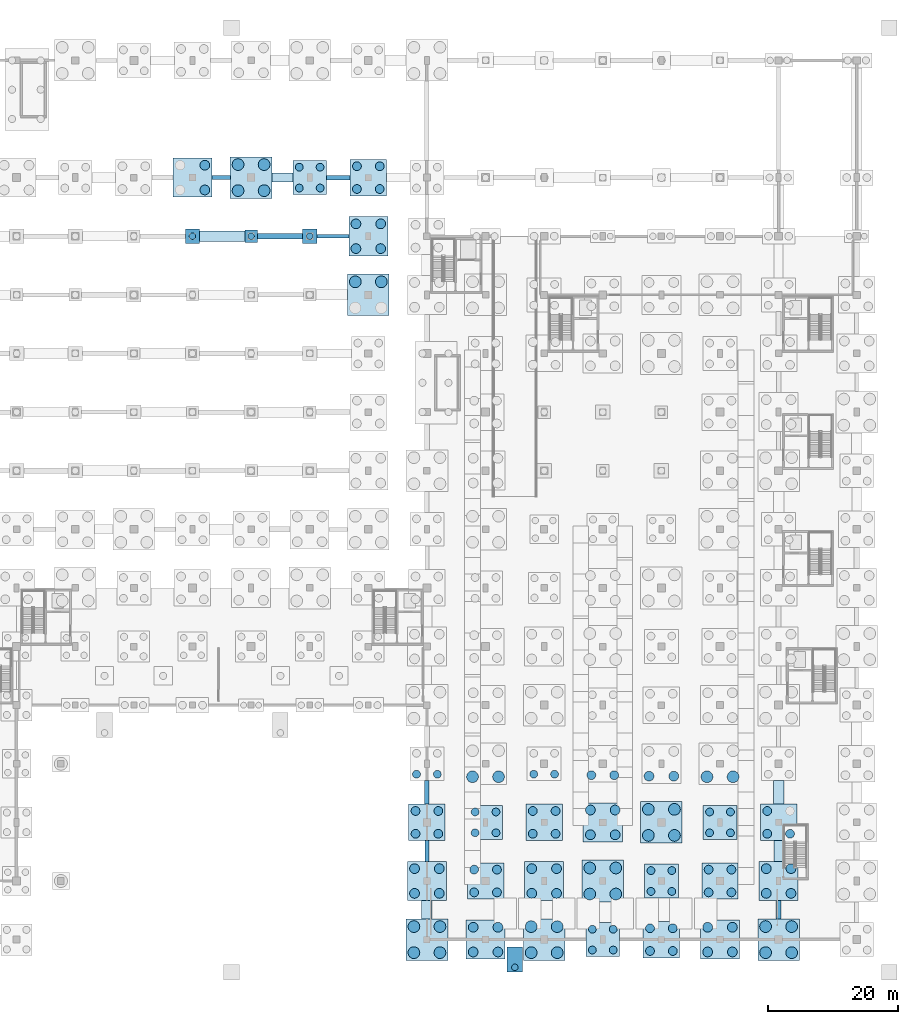
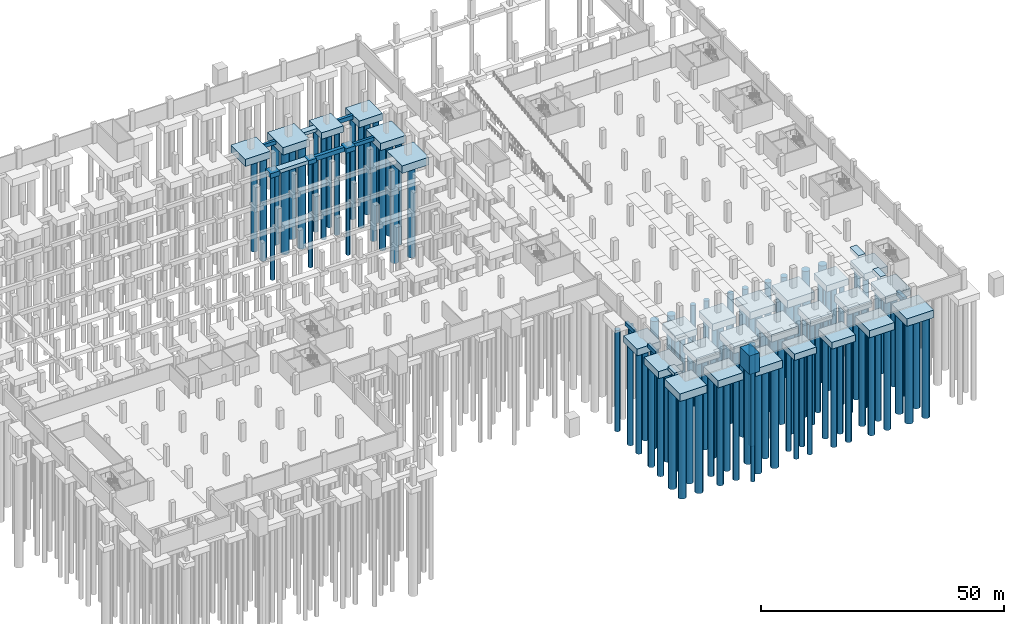
# One storey, part 7 of 37: 119 piles, 43 footings.
"""IFC4 building model written with IfcOpenShell, lengths in metres."""

from ifc_helpers import new_model, si_unit, direction, frame, origin, origin_2d, place, context, subcontext, project, spatial, rectangle, circle, extrude, material, material_profile, profile_set, type_object, element, save


model = new_model("IFC4")

# Units and contexts
model_context = context("Model", 3, precision=1e-05, world=origin(), true_north=direction((0.0, 1.0)))
body_context = subcontext(model_context, "Body", "Model", "MODEL_VIEW")
ifc_project = project(units=[si_unit("LENGTHUNIT", "METRE"), si_unit("AREAUNIT", "SQUARE_METRE"), si_unit("VOLUMEUNIT", "CUBIC_METRE"), si_unit("PLANEANGLEUNIT", "RADIAN"), si_unit("MASSUNIT", "GRAM", prefix="KILO")], contexts=[model_context])

# Site, building, storey
site_placement = place(None, origin())
site = spatial("IfcSite", under=ifc_project, at=site_placement, CompositionType="ELEMENT")
building_placement = place(site_placement, origin())
building = spatial("IfcBuilding", under=site, at=building_placement, Name="Barlavento Convention Centre", CompositionType="ELEMENT")
storey_placement = place(building_placement, frame((0.0, 0.0, -5.0)))
storey = spatial("IfcBuildingStorey", under=building, at=storey_placement, Name="B1", CompositionType="ELEMENT", Elevation=-5.0)

# Footings
ifc_material = material(Name="Concrete C40/50", Category="concrete")
footing_type_1 = type_object("IfcFootingType", Name="STR-FND-GB-600X900", PredefinedType="FOOTING_BEAM", material=ifc_material)
footing_1_placement = place(storey_placement, frame((94.39990234375, 117.0, -0.89990234375), z_axis=(0.0, 0.0, 1.0), x_axis=(1.0, 0.0, 0.0)))
element("IfcFooting", 1, at=footing_1_placement, inside=storey, type_object=footing_type_1, Name="Ground tie footing GB01", PredefinedType="FOOTING_BEAM", context=body_context, shape_type="SweptSolid", body=[
    extrude(rectangle(XDim=2.81005859375, YDim=0.60009765625, at=origin_2d()), origin(), (0.0, 0.0, 1.0), 0.89990234375),
])
footing_2_placement = place(storey_placement, frame((111.550048828125, 108.0, -0.89990234375), z_axis=(0.0, 0.0, 1.0), x_axis=(1.0, 0.0, 0.0)))
element("IfcFooting", 2, at=footing_2_placement, inside=storey, type_object=footing_type_1, Name="Ground tie footing GB01", PredefinedType="FOOTING_BEAM", context=body_context, shape_type="SweptSolid", body=[
    extrude(rectangle(XDim=4.909912109375, YDim=0.60009765625, at=origin_2d()), origin(), (0.0, 0.0, 1.0), 0.89990234375),
])
footing_3_placement = place(storey_placement, frame((126.0, 13.60009765625, -0.89990234375), z_axis=(0.0, 0.0, 1.0), x_axis=(1.0, 0.0, 0.0)))
element("IfcFooting", 3, at=footing_3_placement, inside=storey, type_object=footing_type_1, Name="Ground tie footing GB01", PredefinedType="FOOTING_BEAM", context=body_context, shape_type="SweptSolid", body=[
    extrude(rectangle(XDim=0.60009765625, YDim=3.2099609375, at=origin_2d()), origin(), (0.0, 0.0, 1.0), 0.89990234375),
])
footing_type_2 = type_object("IfcFootingType", Name="STR-FND-GB-700X1000", PredefinedType="FOOTING_BEAM", material=ifc_material)
footing_4_placement = place(storey_placement, frame((112.39990234375, 117.0, -1.0), z_axis=(0.0, 0.0, 1.0), x_axis=(1.0, 0.0, 0.0)))
element("IfcFooting", 4, at=footing_4_placement, inside=storey, type_object=footing_type_2, Name="Ground tie footing GB02", PredefinedType="FOOTING_BEAM", context=body_context, shape_type="SweptSolid", body=[
    extrude(rectangle(XDim=3.610107421875, YDim=0.699951171875, at=origin_2d()), origin(), (0.0, 0.0, 1.0), 1.0),
])
footing_5_placement = place(storey_placement, frame((126.0, 22.60009765625, -1.0), z_axis=(0.0, 0.0, 1.0), x_axis=(1.0, 0.0, 0.0)))
element("IfcFooting", 5, at=footing_5_placement, inside=storey, type_object=footing_type_2, Name="Ground tie footing GB02", PredefinedType="FOOTING_BEAM", context=body_context, shape_type="SweptSolid", body=[
    extrude(rectangle(XDim=0.699951171875, YDim=3.610107421875, at=origin_2d()), origin(), (0.0, 0.0, 1.0), 1.0),
])
footing_type_3 = type_object("IfcFootingType", Name="STR-FND-GB-800X1100", PredefinedType="FOOTING_BEAM", material=ifc_material)
footing_6_placement = place(storey_placement, frame((103.425048828125, 108.0, -1.10009765625), z_axis=(0.0, 0.0, 1.0), x_axis=(1.0, 0.0, 0.0)))
element("IfcFooting", 6, at=footing_6_placement, inside=storey, type_object=footing_type_3, Name="Ground tie footing GB03", PredefinedType="FOOTING_BEAM", context=body_context, shape_type="SweptSolid", body=[
    extrude(rectangle(XDim=6.9599609375, YDim=0.800048828125, at=origin_2d()), origin(), (0.0, 0.0, 1.0), 1.10009765625),
])
footing_7_placement = place(storey_placement, frame((180.0, 4.60009765625, -1.10009765625), z_axis=(0.0, 0.0, 1.0), x_axis=(1.0, 0.0, 0.0)))
element("IfcFooting", 7, at=footing_7_placement, inside=storey, type_object=footing_type_3, Name="Ground tie footing GB03", PredefinedType="FOOTING_BEAM", context=body_context, shape_type="SweptSolid", body=[
    extrude(rectangle(XDim=0.800048828125, YDim=2.81005859375, at=origin_2d()), origin(), (0.0, 0.0, 1.0), 1.10009765625),
])
footing_type_4 = type_object("IfcFootingType", Name="STR-FND-PC1-1900", PredefinedType="PILE_CAP", material=ifc_material)
footing_8_placement = place(storey_placement, frame((99.0, 108.0, -1.0498046875), z_axis=(0.0, 0.0, 1.0), x_axis=(1.0, 0.0, 0.0)))
element("IfcFooting", 8, at=footing_8_placement, inside=storey, type_object=footing_type_4, Name="Pile cap PC01 at 12-N", PredefinedType="PILE_CAP", context=body_context, shape_type="SweptSolid", body=[
    extrude(rectangle(XDim=1.89990234375, YDim=1.89990234375, at=origin_2d()), origin(), (0.0, 0.0, 1.0), 1.050048828125),
])
footing_type_5 = type_object("IfcFootingType", Name="STR-FND-PC1-2200", PredefinedType="PILE_CAP", material=ifc_material)
for number, where, z_axis, x_axis, name in (
    (9, (90.0, 108.0, -1.14990234375), (0.0, 0.0, 1.0), (1.0, 0.0, 0.0), "Pile cap PC02 at 11-N"),
    (10, (108.0, 108.0, -1.14990234375), (0.0, 0.0, 1.0), (1.0, 0.0, 0.0), "Pile cap PC02 at 13-N"),
):
    element("IfcFooting", number, at=place(storey_placement, frame(where, z_axis=z_axis, x_axis=x_axis)), inside=storey, type_object=footing_type_5, Name=name, PredefinedType="PILE_CAP", context=body_context, shape_type="SweptSolid", body=[
        extrude(rectangle(XDim=2.199951171875, YDim=2.199951171875, at=origin_2d()), origin(), (0.0, 0.0, 1.0), 1.14990234375),
    ])
footing_type_6 = type_object("IfcFootingType", Name="STR-FND-PC4-5200", PredefinedType="PILE_CAP", material=ifc_material)
for number, where, z_axis, x_axis, name in (
    (11, (108.0, 117.0, -1.60009765625), (0.0, 0.0, 1.0), (1.0, 0.0, 0.0), "Pile cap PC09 at 13-P"),
    (12, (135.0, 18.0, -2.1201171875), (0.0, 0.0, 1.0), (1.0, 0.0, 0.0), "Pile cap PC09 at 16-C"),
    (13, (153.0, 0.0, -2.1201171875), (0.0, 0.0, 1.0), (1.0, 0.0, 0.0), "Pile cap PC09 at 18-A"),
    (14, (162.0, 9.0, -2.1201171875), (0.0, 0.0, 1.0), (1.0, 0.0, 0.0), "Pile cap PC09 at 19-B"),
    (15, (171.0, 18.0, -2.1201171875), (0.0, 0.0, 1.0), (1.0, 0.0, 0.0), "Pile cap PC09 at 20-C"),
):
    element("IfcFooting", number, at=place(storey_placement, frame(where, z_axis=z_axis, x_axis=x_axis)), inside=storey, type_object=footing_type_6, Name=name, PredefinedType="PILE_CAP", context=body_context, shape_type="SweptSolid", body=[
        extrude(rectangle(XDim=5.199951171875, YDim=5.199951171875, at=origin_2d()), origin(), (0.0, 0.0, 1.0), 1.60009765625),
    ])
footing_type_7 = type_object("IfcFootingType", Name="STR-FND-PC4-5600", PredefinedType="PILE_CAP", material=ifc_material)
for number, where, z_axis, x_axis, name in (
    (16, (117.0, 117.0, -1.7001953125), (0.0, 0.0, 1.0), (1.0, 0.0, 0.0), "Pile cap PC10 at 14-P"),
    (17, (126.0, 18.0, -2.22021484375), (0.0, 0.0, 1.0), (1.0, 0.0, 0.0), "Pile cap PC10 at 15-C"),
    (18, (135.0, 9.0, -2.22021484375), (0.0, 0.0, 1.0), (1.0, 0.0, 0.0), "Pile cap PC10 at 16-B"),
    (19, (144.0, 18.0, -2.22021484375), (0.0, 0.0, 1.0), (1.0, 0.0, 0.0), "Pile cap PC10 at 17-C"),
    (20, (162.0, 0.0, -2.22021484375), (0.0, 0.0, 1.0), (1.0, 0.0, 0.0), "Pile cap PC10 at 19-A"),
    (21, (171.0, 9.0, -2.22021484375), (0.0, 0.0, 1.0), (1.0, 0.0, 0.0), "Pile cap PC10 at 20-B"),
    (22, (180.0, 18.0, -2.22021484375), (0.0, 0.0, 1.0), (1.0, 0.0, 0.0), "Pile cap PC10 at 21-C"),
):
    element("IfcFooting", number, at=place(storey_placement, frame(where, z_axis=z_axis, x_axis=x_axis)), inside=storey, type_object=footing_type_7, Name=name, PredefinedType="PILE_CAP", context=body_context, shape_type="SweptSolid", body=[
        extrude(rectangle(XDim=5.60009765625, YDim=5.60009765625, at=origin_2d()), origin(), (0.0, 0.0, 1.0), 1.699951171875),
    ])
footing_type_8 = type_object("IfcFootingType", Name="STR-FND-PC4-6000", PredefinedType="PILE_CAP", material=ifc_material)
for number, where, z_axis, x_axis, name in (
    (23, (90.0, 117.0, -1.7998046875), (0.0, 0.0, 1.0), (1.0, 0.0, 0.0), "Pile cap PC11 at 11-P"),
    (24, (117.0, 108.0, -1.7998046875), (0.0, 0.0, 1.0), (1.0, 0.0, 0.0), "Pile cap PC11 at 14-N"),
    (25, (126.0, 9.0, -2.31982421875), (0.0, 0.0, 1.0), (1.0, 0.0, 0.0), "Pile cap PC11 at 15-B"),
    (26, (135.0, 0.0, -2.31982421875), (0.0, 0.0, 1.0), (1.0, 0.0, 0.0), "Pile cap PC11 at 16-A"),
    (27, (144.0, 9.0, -2.31982421875), (0.0, 0.0, 1.0), (1.0, 0.0, 0.0), "Pile cap PC11 at 17-B"),
    (28, (153.0, 18.0, -2.31982421875), (0.0, 0.0, 1.0), (1.0, 0.0, 0.0), "Pile cap PC11 at 18-C"),
    (29, (171.0, 0.0, -2.31982421875), (0.0, 0.0, 1.0), (1.0, 0.0, 0.0), "Pile cap PC11 at 20-A"),
    (30, (180.0, 9.0, -2.31982421875), (0.0, 0.0, 1.0), (1.0, 0.0, 0.0), "Pile cap PC11 at 21-B"),
):
    element("IfcFooting", number, at=place(storey_placement, frame(where, z_axis=z_axis, x_axis=x_axis)), inside=storey, type_object=footing_type_8, Name=name, PredefinedType="PILE_CAP", context=body_context, shape_type="SweptSolid", body=[
        extrude(rectangle(XDim=6.0, YDim=6.0, at=origin_2d()), origin(), (0.0, 0.0, 1.0), 1.800048828125),
    ])
footing_type_9 = type_object("IfcFootingType", Name="STR-FND-PC4-6400", PredefinedType="PILE_CAP", material=ifc_material)
for number, where, z_axis, x_axis, name in (
    (31, (99.0, 117.0, -1.89990234375), (0.0, 0.0, 1.0), (1.0, 0.0, 0.0), "Pile cap PC12 at 12-P"),
    (32, (117.0, 99.0, -1.89990234375), (0.0, 0.0, 1.0), (1.0, 0.0, 0.0), "Pile cap PC12 at 14-M"),
    (33, (126.0, 0.0, -2.419921875), (0.0, 0.0, 1.0), (1.0, 0.0, 0.0), "Pile cap PC12 at 15-A"),
    (34, (144.0, 0.0, -2.419921875), (0.0, 0.0, 1.0), (1.0, 0.0, 0.0), "Pile cap PC12 at 17-A"),
    (35, (153.0, 9.0, -2.419921875), (0.0, 0.0, 1.0), (1.0, 0.0, 0.0), "Pile cap PC12 at 18-B"),
    (36, (162.0, 18.0, -2.419921875), (0.0, 0.0, 1.0), (1.0, 0.0, 0.0), "Pile cap PC12 at 19-C"),
    (37, (180.0, 0.0, -2.419921875), (0.0, 0.0, 1.0), (1.0, 0.0, 0.0), "Pile cap PC12 at 21-A"),
):
    element("IfcFooting", number, at=place(storey_placement, frame(where, z_axis=z_axis, x_axis=x_axis)), inside=storey, type_object=footing_type_9, Name=name, PredefinedType="PILE_CAP", context=body_context, shape_type="SweptSolid", body=[
        extrude(rectangle(XDim=6.39990234375, YDim=6.39990234375, at=origin_2d()), origin(), (0.0, 0.0, 1.0), 1.89990234375),
    ])
footing_type_10 = type_object("IfcFootingType", Name="STR-FND-RMP-PAD", PredefinedType="PAD_FOOTING", material=ifc_material)
footing_9_placement = place(storey_placement, frame((139.5, -3.050048828125, 0.0), z_axis=(0.0, 0.0, 1.0), x_axis=(1.0, 0.0, 0.0)))
element("IfcFooting", 38, at=footing_9_placement, inside=storey, type_object=footing_type_10, Name="Approach ramp foundation pad AR-05", PredefinedType="PAD_FOOTING", context=body_context, shape_type="SweptSolid", body=[
    extrude(rectangle(XDim=2.39990234375, YDim=3.800048828125, at=origin_2d()), origin(), (0.0, 0.0, 1.0), 4.679931640625),
])
footing_type_11 = type_object("IfcFootingType", Name="STR-FND-SF-1400X800", PredefinedType="STRIP_FOOTING", material=ifc_material)
footing_10_placement = place(storey_placement, frame((103.800048828125, 117.0, -0.7998046875), z_axis=(0.0, 0.0, 1.0), x_axis=(1.0, 0.0, 0.0)))
element("IfcFooting", 39, at=footing_10_placement, inside=storey, type_object=footing_type_11, Name="Ground tie footing SF01", PredefinedType="STRIP_FOOTING", context=body_context, shape_type="SweptSolid", body=[
    extrude(rectangle(XDim=3.2099609375, YDim=1.39990234375, at=origin_2d()), origin(), (0.0, 0.0, 1.0), 0.800048828125),
])
footing_11_placement = place(storey_placement, frame((180.0, 13.60009765625, -0.7998046875), z_axis=(0.0, 0.0, 1.0), x_axis=(1.0, 0.0, 0.0)))
element("IfcFooting", 40, at=footing_11_placement, inside=storey, type_object=footing_type_11, Name="Ground tie footing SF01", PredefinedType="STRIP_FOOTING", context=body_context, shape_type="SweptSolid", body=[
    extrude(rectangle(XDim=1.39990234375, YDim=3.2099609375, at=origin_2d()), origin(), (0.0, 0.0, 1.0), 0.800048828125),
])
footing_type_12 = type_object("IfcFootingType", Name="STR-FND-SF-1600X900", PredefinedType="STRIP_FOOTING", material=ifc_material)
footing_12_placement = place(storey_placement, frame((94.574951171875, 108.0, -0.89990234375), z_axis=(0.0, 0.0, 1.0), x_axis=(1.0, 0.0, 0.0)))
element("IfcFooting", 41, at=footing_12_placement, inside=storey, type_object=footing_type_12, Name="Ground tie footing SF02", PredefinedType="STRIP_FOOTING", context=body_context, shape_type="SweptSolid", body=[
    extrude(rectangle(XDim=6.9599609375, YDim=1.60009765625, at=origin_2d()), origin(), (0.0, 0.0, 1.0), 0.89990234375),
])
footing_13_placement = place(storey_placement, frame((126.0, 4.60009765625, -0.89990234375), z_axis=(0.0, 0.0, 1.0), x_axis=(1.0, 0.0, 0.0)))
element("IfcFooting", 42, at=footing_13_placement, inside=storey, type_object=footing_type_12, Name="Ground tie footing SF02", PredefinedType="STRIP_FOOTING", context=body_context, shape_type="SweptSolid", body=[
    extrude(rectangle(XDim=1.60009765625, YDim=2.81005859375, at=origin_2d()), origin(), (0.0, 0.0, 1.0), 0.89990234375),
])
footing_14_placement = place(storey_placement, frame((180.0, 22.60009765625, -0.89990234375), z_axis=(0.0, 0.0, 1.0), x_axis=(1.0, 0.0, 0.0)))
element("IfcFooting", 43, at=footing_14_placement, inside=storey, type_object=footing_type_12, Name="Ground tie footing SF02", PredefinedType="STRIP_FOOTING", context=body_context, shape_type="SweptSolid", body=[
    extrude(rectangle(XDim=1.60009765625, YDim=3.610107421875, at=origin_2d()), origin(), (0.0, 0.0, 1.0), 0.89990234375),
])

# Piles
ifc_material_profile_1 = material_profile(ifc_material, circle(Radius=0.5, at=origin_2d()), Name="BORED PILE 1000")
ifc_profile_set_1 = profile_set([ifc_material_profile_1], Name="Concrete C40/50")
pile_type_1 = type_object("IfcPileType", Name="STR-PIL-B1000", PredefinedType="BORED", material=ifc_profile_set_1)
pile_1_placement = place(storey_placement, frame((90.0, 108.0, -1.050048828125), z_axis=(0.0, 0.0, -1.0), x_axis=(1.0, 0.0, 0.0)))
element("IfcPile", 44, at=pile_1_placement, inside=storey, type_object=pile_type_1, Name="Bored pile P10 under FND-CAP-0148", PredefinedType="BORED", context=body_context, shape_type="SweptSolid", body=[
    extrude(circle(Radius=0.5, at=origin_2d()), origin(), (0.0, 0.0, 1.0), 26.449951171875),
])
pile_2_placement = place(storey_placement, frame((99.0, 108.0, -0.949951171875), z_axis=(0.0, 0.0, -1.0), x_axis=(1.0, 0.0, 0.0)))
element("IfcPile", 45, at=pile_2_placement, inside=storey, type_object=pile_type_1, Name="Bored pile P10 under FND-CAP-0159", PredefinedType="BORED", context=body_context, shape_type="SweptSolid", body=[
    extrude(circle(Radius=0.5, at=origin_2d()), origin(), (0.0, 0.0, 1.0), 26.550048828125),
])
pile_3_placement = place(storey_placement, frame((108.0, 108.0, -1.050048828125), z_axis=(0.0, 0.0, -1.0), x_axis=(1.0, 0.0, 0.0)))
element("IfcPile", 46, at=pile_3_placement, inside=storey, type_object=pile_type_1, Name="Bored pile P10 under FND-CAP-0170", PredefinedType="BORED", context=body_context, shape_type="SweptSolid", body=[
    extrude(circle(Radius=0.5, at=origin_2d()), origin(), (0.0, 0.0, 1.0), 26.449951171875),
])
pile_4_placement = place(storey_placement, frame((139.5, -4.25, 0.10009765625), z_axis=(0.0, 0.0, -1.0), x_axis=(1.0, 0.0, 0.0)))
element("IfcPile", 47, at=pile_4_placement, inside=storey, type_object=pile_type_1, Name="Approach ramp foundation pile AR-05", PredefinedType="BORED", context=body_context, shape_type="SweptSolid", body=[
    extrude(circle(Radius=0.5, at=origin_2d()), origin(), (0.0, 0.0, 1.0), 27.60009765625),
])
ifc_material_profile_2 = material_profile(ifc_material, circle(Radius=0.60009765625, at=origin_2d()), Name="BORED PILE 1200")
ifc_profile_set_2 = profile_set([ifc_material_profile_2], Name="Concrete C40/50")
pile_type_2 = type_object("IfcPileType", Name="STR-PIL-B1200", PredefinedType="BORED", material=ifc_profile_set_2)
for number, where, z_axis, x_axis, name in (
    (48, (106.39990234375, 115.39990234375, -1.5), (0.0, 0.0, -1.0), (1.0, 0.0, 0.0), "Bored pile P12 under FND-CAP-0171"),
    (49, (109.60009765625, 115.39990234375, -1.5), (0.0, 0.0, -1.0), (1.0, 0.0, 0.0), "Bored pile P12 under FND-CAP-0171"),
    (50, (106.39990234375, 118.60009765625, -1.5), (0.0, 0.0, -1.0), (1.0, 0.0, 0.0), "Bored pile P12 under FND-CAP-0171"),
    (51, (109.60009765625, 118.60009765625, -1.5), (0.0, 0.0, -1.0), (1.0, 0.0, 0.0), "Bored pile P12 under FND-CAP-0171"),
):
    element("IfcPile", number, at=place(storey_placement, frame(where, z_axis=z_axis, x_axis=x_axis)), inside=storey, type_object=pile_type_2, Name=name, PredefinedType="BORED", context=body_context, shape_type="SweptSolid", body=[
        extrude(circle(Radius=0.60009765625, at=origin_2d()), origin(), (0.0, 0.0, 1.0), 26.0),
    ])
for number, where, z_axis, x_axis, name in (
    (52, (124.39990234375, 25.39990234375, -2.02001953125), (0.0, 0.0, -1.0), (1.0, 0.0, 0.0), "Bored pile P12 under FND-CAP-0187"),
    (53, (127.60009765625, 25.39990234375, -2.02001953125), (0.0, 0.0, -1.0), (1.0, 0.0, 0.0), "Bored pile P12 under FND-CAP-0187"),
    (54, (133.39990234375, 16.39990234375, -2.02001953125), (0.0, 0.0, -1.0), (1.0, 0.0, 0.0), "Bored pile P12 under FND-CAP-0199"),
    (55, (136.60009765625, 16.39990234375, -2.02001953125), (0.0, 0.0, -1.0), (1.0, 0.0, 0.0), "Bored pile P12 under FND-CAP-0199"),
    (56, (133.39990234375, 19.60009765625, -2.02001953125), (0.0, 0.0, -1.0), (1.0, 0.0, 0.0), "Bored pile P12 under FND-CAP-0199"),
    (57, (136.60009765625, 19.60009765625, -2.02001953125), (0.0, 0.0, -1.0), (1.0, 0.0, 0.0), "Bored pile P12 under FND-CAP-0199"),
    (58, (142.39990234375, 25.39990234375, -2.02001953125), (0.0, 0.0, -1.0), (1.0, 0.0, 0.0), "Bored pile P12 under FND-CAP-0215"),
    (59, (145.60009765625, 25.39990234375, -2.02001953125), (0.0, 0.0, -1.0), (1.0, 0.0, 0.0), "Bored pile P12 under FND-CAP-0215"),
    (60, (151.39990234375, -1.60009765625, -2.02001953125), (0.0, 0.0, -1.0), (1.0, 0.0, 0.0), "Bored pile P12 under FND-CAP-0227"),
    (61, (154.60009765625, -1.60009765625, -2.02001953125), (0.0, 0.0, -1.0), (1.0, 0.0, 0.0), "Bored pile P12 under FND-CAP-0227"),
    (62, (151.39990234375, 1.60009765625, -2.02001953125), (0.0, 0.0, -1.0), (1.0, 0.0, 0.0), "Bored pile P12 under FND-CAP-0227"),
    (63, (154.60009765625, 1.60009765625, -2.02001953125), (0.0, 0.0, -1.0), (1.0, 0.0, 0.0), "Bored pile P12 under FND-CAP-0227"),
    (64, (160.39990234375, 7.39990234375, -2.02001953125), (0.0, 0.0, -1.0), (1.0, 0.0, 0.0), "Bored pile P12 under FND-CAP-0243"),
    (65, (163.60009765625, 7.39990234375, -2.02001953125), (0.0, 0.0, -1.0), (1.0, 0.0, 0.0), "Bored pile P12 under FND-CAP-0243"),
    (66, (160.39990234375, 10.60009765625, -2.02001953125), (0.0, 0.0, -1.0), (1.0, 0.0, 0.0), "Bored pile P12 under FND-CAP-0243"),
    (67, (163.60009765625, 10.60009765625, -2.02001953125), (0.0, 0.0, -1.0), (1.0, 0.0, 0.0), "Bored pile P12 under FND-CAP-0243"),
    (68, (169.39990234375, 16.39990234375, -2.02001953125), (0.0, 0.0, -1.0), (1.0, 0.0, 0.0), "Bored pile P12 under FND-CAP-0259"),
    (69, (172.60009765625, 16.39990234375, -2.02001953125), (0.0, 0.0, -1.0), (1.0, 0.0, 0.0), "Bored pile P12 under FND-CAP-0259"),
    (70, (169.39990234375, 19.60009765625, -2.02001953125), (0.0, 0.0, -1.0), (1.0, 0.0, 0.0), "Bored pile P12 under FND-CAP-0259"),
    (71, (172.60009765625, 19.60009765625, -2.02001953125), (0.0, 0.0, -1.0), (1.0, 0.0, 0.0), "Bored pile P12 under FND-CAP-0259"),
):
    element("IfcPile", number, at=place(storey_placement, frame(where, z_axis=z_axis, x_axis=x_axis)), inside=storey, type_object=pile_type_2, Name=name, PredefinedType="BORED", context=body_context, shape_type="SweptSolid", body=[
        extrude(circle(Radius=0.60009765625, at=origin_2d()), origin(), (0.0, 0.0, 1.0), 25.47998046875),
    ])
ifc_material_profile_3 = material_profile(ifc_material, circle(Radius=0.675048828125, at=origin_2d()), Name="BORED PILE 1350")
ifc_profile_set_3 = profile_set([ifc_material_profile_3], Name="Concrete C40/50")
pile_type_3 = type_object("IfcPileType", Name="STR-PIL-B1350", PredefinedType="BORED", material=ifc_profile_set_3)
for number, where, z_axis, x_axis, name in (
    (72, (115.25, 115.25, -1.60009765625), (0.0, 0.0, -1.0), (1.0, 0.0, 0.0), "Bored pile P13 under FND-CAP-0182"),
    (73, (118.75, 115.25, -1.60009765625), (0.0, 0.0, -1.0), (1.0, 0.0, 0.0), "Bored pile P13 under FND-CAP-0182"),
    (74, (115.25, 118.75, -1.60009765625), (0.0, 0.0, -1.0), (1.0, 0.0, 0.0), "Bored pile P13 under FND-CAP-0182"),
    (75, (118.75, 118.75, -1.60009765625), (0.0, 0.0, -1.0), (1.0, 0.0, 0.0), "Bored pile P13 under FND-CAP-0182"),
):
    element("IfcPile", number, at=place(storey_placement, frame(where, z_axis=z_axis, x_axis=x_axis)), inside=storey, type_object=pile_type_3, Name=name, PredefinedType="BORED", context=body_context, shape_type="SweptSolid", body=[
        extrude(circle(Radius=0.675048828125, at=origin_2d()), origin(), (0.0, 0.0, 1.0), 25.89990234375),
    ])
for number, where, z_axis, x_axis, name in (
    (76, (124.25, 16.25, -2.1201171875), (0.0, 0.0, -1.0), (1.0, 0.0, 0.0), "Bored pile P13 under FND-CAP-0186"),
    (77, (127.75, 16.25, -2.1201171875), (0.0, 0.0, -1.0), (1.0, 0.0, 0.0), "Bored pile P13 under FND-CAP-0186"),
    (78, (124.25, 19.75, -2.1201171875), (0.0, 0.0, -1.0), (1.0, 0.0, 0.0), "Bored pile P13 under FND-CAP-0186"),
    (79, (127.75, 19.75, -2.1201171875), (0.0, 0.0, -1.0), (1.0, 0.0, 0.0), "Bored pile P13 under FND-CAP-0186"),
    (80, (133.25, 7.25, -2.1201171875), (0.0, 0.0, -1.0), (1.0, 0.0, 0.0), "Bored pile P13 under FND-CAP-0198"),
    (81, (136.75, 7.25, -2.1201171875), (0.0, 0.0, -1.0), (1.0, 0.0, 0.0), "Bored pile P13 under FND-CAP-0198"),
    (82, (133.25, 10.75, -2.1201171875), (0.0, 0.0, -1.0), (1.0, 0.0, 0.0), "Bored pile P13 under FND-CAP-0198"),
    (83, (136.75, 10.75, -2.1201171875), (0.0, 0.0, -1.0), (1.0, 0.0, 0.0), "Bored pile P13 under FND-CAP-0198"),
    (84, (142.25, 16.25, -2.1201171875), (0.0, 0.0, -1.0), (1.0, 0.0, 0.0), "Bored pile P13 under FND-CAP-0214"),
    (85, (145.75, 16.25, -2.1201171875), (0.0, 0.0, -1.0), (1.0, 0.0, 0.0), "Bored pile P13 under FND-CAP-0214"),
    (86, (142.25, 19.75, -2.1201171875), (0.0, 0.0, -1.0), (1.0, 0.0, 0.0), "Bored pile P13 under FND-CAP-0214"),
    (87, (145.75, 19.75, -2.1201171875), (0.0, 0.0, -1.0), (1.0, 0.0, 0.0), "Bored pile P13 under FND-CAP-0214"),
    (88, (151.25, 25.25, -2.1201171875), (0.0, 0.0, -1.0), (1.0, 0.0, 0.0), "Bored pile P13 under FND-CAP-0230"),
    (89, (154.75, 25.25, -2.1201171875), (0.0, 0.0, -1.0), (1.0, 0.0, 0.0), "Bored pile P13 under FND-CAP-0230"),
    (90, (160.25, -1.75, -2.1201171875), (0.0, 0.0, -1.0), (1.0, 0.0, 0.0), "Bored pile P13 under FND-CAP-0242"),
    (91, (163.75, -1.75, -2.1201171875), (0.0, 0.0, -1.0), (1.0, 0.0, 0.0), "Bored pile P13 under FND-CAP-0242"),
    (92, (160.25, 1.75, -2.1201171875), (0.0, 0.0, -1.0), (1.0, 0.0, 0.0), "Bored pile P13 under FND-CAP-0242"),
    (93, (163.75, 1.75, -2.1201171875), (0.0, 0.0, -1.0), (1.0, 0.0, 0.0), "Bored pile P13 under FND-CAP-0242"),
    (94, (169.25, 7.25, -2.1201171875), (0.0, 0.0, -1.0), (1.0, 0.0, 0.0), "Bored pile P13 under FND-CAP-0258"),
    (95, (172.75, 7.25, -2.1201171875), (0.0, 0.0, -1.0), (1.0, 0.0, 0.0), "Bored pile P13 under FND-CAP-0258"),
    (96, (169.25, 10.75, -2.1201171875), (0.0, 0.0, -1.0), (1.0, 0.0, 0.0), "Bored pile P13 under FND-CAP-0258"),
    (97, (172.75, 10.75, -2.1201171875), (0.0, 0.0, -1.0), (1.0, 0.0, 0.0), "Bored pile P13 under FND-CAP-0258"),
    (98, (178.25, 16.25, -2.1201171875), (0.0, 0.0, -1.0), (1.0, 0.0, 0.0), "Bored pile P13 under FND-CAP-0274"),
    (99, (181.75, 16.25, -2.1201171875), (0.0, 0.0, -1.0), (1.0, 0.0, 0.0), "Bored pile P13 under FND-CAP-0274"),
    (100, (178.25, 19.75, -2.1201171875), (0.0, 0.0, -1.0), (1.0, 0.0, 0.0), "Bored pile P13 under FND-CAP-0274"),
):
    element("IfcPile", number, at=place(storey_placement, frame(where, z_axis=z_axis, x_axis=x_axis)), inside=storey, type_object=pile_type_3, Name=name, PredefinedType="BORED", context=body_context, shape_type="SweptSolid", body=[
        extrude(circle(Radius=0.675048828125, at=origin_2d()), origin(), (0.0, 0.0, 1.0), 25.3798828125),
    ])
ifc_material_profile_4 = material_profile(ifc_material, circle(Radius=0.75, at=origin_2d()), Name="BORED PILE 1500")
ifc_profile_set_4 = profile_set([ifc_material_profile_4], Name="Concrete C40/50")
pile_type_4 = type_object("IfcPileType", Name="STR-PIL-B1500", PredefinedType="BORED", material=ifc_profile_set_4)
for number, where, z_axis, x_axis, name in (
    (101, (91.89990234375, 115.10009765625, -1.699951171875), (0.0, 0.0, -1.0), (1.0, 0.0, 0.0), "Bored pile P15 under FND-CAP-0149"),
    (102, (91.89990234375, 118.89990234375, -1.699951171875), (0.0, 0.0, -1.0), (1.0, 0.0, 0.0), "Bored pile P15 under FND-CAP-0149"),
    (103, (115.10009765625, 106.10009765625, -1.699951171875), (0.0, 0.0, -1.0), (1.0, 0.0, 0.0), "Bored pile P15 under FND-CAP-0181"),
    (104, (118.89990234375, 106.10009765625, -1.699951171875), (0.0, 0.0, -1.0), (1.0, 0.0, 0.0), "Bored pile P15 under FND-CAP-0181"),
    (105, (115.10009765625, 109.89990234375, -1.699951171875), (0.0, 0.0, -1.0), (1.0, 0.0, 0.0), "Bored pile P15 under FND-CAP-0181"),
    (106, (118.89990234375, 109.89990234375, -1.699951171875), (0.0, 0.0, -1.0), (1.0, 0.0, 0.0), "Bored pile P15 under FND-CAP-0181"),
):
    element("IfcPile", number, at=place(storey_placement, frame(where, z_axis=z_axis, x_axis=x_axis)), inside=storey, type_object=pile_type_4, Name=name, PredefinedType="BORED", context=body_context, shape_type="SweptSolid", body=[
        extrude(circle(Radius=0.75, at=origin_2d()), origin(), (0.0, 0.0, 1.0), 25.800048828125),
    ])
for number, where, z_axis, x_axis, name in (
    (107, (124.10009765625, 7.10009765625, -2.219970703125), (0.0, 0.0, -1.0), (1.0, 0.0, 0.0), "Bored pile P15 under FND-CAP-0185"),
    (108, (127.89990234375, 7.10009765625, -2.219970703125), (0.0, 0.0, -1.0), (1.0, 0.0, 0.0), "Bored pile P15 under FND-CAP-0185"),
    (109, (124.10009765625, 10.89990234375, -2.219970703125), (0.0, 0.0, -1.0), (1.0, 0.0, 0.0), "Bored pile P15 under FND-CAP-0185"),
    (110, (127.89990234375, 10.89990234375, -2.219970703125), (0.0, 0.0, -1.0), (1.0, 0.0, 0.0), "Bored pile P15 under FND-CAP-0185"),
    (111, (133.10009765625, -1.89990234375, -2.219970703125), (0.0, 0.0, -1.0), (1.0, 0.0, 0.0), "Bored pile P15 under FND-CAP-0197"),
    (112, (136.89990234375, -1.89990234375, -2.219970703125), (0.0, 0.0, -1.0), (1.0, 0.0, 0.0), "Bored pile P15 under FND-CAP-0197"),
    (113, (133.10009765625, 1.89990234375, -2.219970703125), (0.0, 0.0, -1.0), (1.0, 0.0, 0.0), "Bored pile P15 under FND-CAP-0197"),
    (114, (136.89990234375, 1.89990234375, -2.219970703125), (0.0, 0.0, -1.0), (1.0, 0.0, 0.0), "Bored pile P15 under FND-CAP-0197"),
    (115, (142.10009765625, 7.10009765625, -2.219970703125), (0.0, 0.0, -1.0), (1.0, 0.0, 0.0), "Bored pile P15 under FND-CAP-0213"),
    (116, (145.89990234375, 7.10009765625, -2.219970703125), (0.0, 0.0, -1.0), (1.0, 0.0, 0.0), "Bored pile P15 under FND-CAP-0213"),
    (117, (142.10009765625, 10.89990234375, -2.219970703125), (0.0, 0.0, -1.0), (1.0, 0.0, 0.0), "Bored pile P15 under FND-CAP-0213"),
    (118, (145.89990234375, 10.89990234375, -2.219970703125), (0.0, 0.0, -1.0), (1.0, 0.0, 0.0), "Bored pile P15 under FND-CAP-0213"),
    (119, (151.10009765625, 16.10009765625, -2.219970703125), (0.0, 0.0, -1.0), (1.0, 0.0, 0.0), "Bored pile P15 under FND-CAP-0229"),
    (120, (154.89990234375, 16.10009765625, -2.219970703125), (0.0, 0.0, -1.0), (1.0, 0.0, 0.0), "Bored pile P15 under FND-CAP-0229"),
    (121, (151.10009765625, 19.89990234375, -2.219970703125), (0.0, 0.0, -1.0), (1.0, 0.0, 0.0), "Bored pile P15 under FND-CAP-0229"),
    (122, (154.89990234375, 19.89990234375, -2.219970703125), (0.0, 0.0, -1.0), (1.0, 0.0, 0.0), "Bored pile P15 under FND-CAP-0229"),
    (123, (160.10009765625, 25.10009765625, -2.219970703125), (0.0, 0.0, -1.0), (1.0, 0.0, 0.0), "Bored pile P15 under FND-CAP-0245"),
    (124, (163.89990234375, 25.10009765625, -2.219970703125), (0.0, 0.0, -1.0), (1.0, 0.0, 0.0), "Bored pile P15 under FND-CAP-0245"),
    (125, (169.10009765625, -1.89990234375, -2.219970703125), (0.0, 0.0, -1.0), (1.0, 0.0, 0.0), "Bored pile P15 under FND-CAP-0257"),
    (126, (172.89990234375, -1.89990234375, -2.219970703125), (0.0, 0.0, -1.0), (1.0, 0.0, 0.0), "Bored pile P15 under FND-CAP-0257"),
    (127, (169.10009765625, 1.89990234375, -2.219970703125), (0.0, 0.0, -1.0), (1.0, 0.0, 0.0), "Bored pile P15 under FND-CAP-0257"),
    (128, (172.89990234375, 1.89990234375, -2.219970703125), (0.0, 0.0, -1.0), (1.0, 0.0, 0.0), "Bored pile P15 under FND-CAP-0257"),
    (129, (178.10009765625, 7.10009765625, -2.219970703125), (0.0, 0.0, -1.0), (1.0, 0.0, 0.0), "Bored pile P15 under FND-CAP-0273"),
    (130, (181.89990234375, 7.10009765625, -2.219970703125), (0.0, 0.0, -1.0), (1.0, 0.0, 0.0), "Bored pile P15 under FND-CAP-0273"),
    (131, (178.10009765625, 10.89990234375, -2.219970703125), (0.0, 0.0, -1.0), (1.0, 0.0, 0.0), "Bored pile P15 under FND-CAP-0273"),
    (132, (181.89990234375, 10.89990234375, -2.219970703125), (0.0, 0.0, -1.0), (1.0, 0.0, 0.0), "Bored pile P15 under FND-CAP-0273"),
):
    element("IfcPile", number, at=place(storey_placement, frame(where, z_axis=z_axis, x_axis=x_axis)), inside=storey, type_object=pile_type_4, Name=name, PredefinedType="BORED", context=body_context, shape_type="SweptSolid", body=[
        extrude(circle(Radius=0.75, at=origin_2d()), origin(), (0.0, 0.0, 1.0), 25.280029296875),
    ])
ifc_material_profile_5 = material_profile(ifc_material, circle(Radius=0.89990234375, at=origin_2d()), Name="BORED PILE 1800")
ifc_profile_set_5 = profile_set([ifc_material_profile_5], Name="Concrete C40/50")
pile_type_5 = type_object("IfcPileType", Name="STR-PIL-B1800", PredefinedType="BORED", material=ifc_profile_set_5)
for number, where, z_axis, x_axis, name in (
    (133, (97.0, 115.0, -1.800048828125), (0.0, 0.0, -1.0), (1.0, 0.0, 0.0), "Bored pile P18 under FND-CAP-0160"),
    (134, (101.0, 115.0, -1.800048828125), (0.0, 0.0, -1.0), (1.0, 0.0, 0.0), "Bored pile P18 under FND-CAP-0160"),
    (135, (97.0, 119.0, -1.800048828125), (0.0, 0.0, -1.0), (1.0, 0.0, 0.0), "Bored pile P18 under FND-CAP-0160"),
    (136, (101.0, 119.0, -1.800048828125), (0.0, 0.0, -1.0), (1.0, 0.0, 0.0), "Bored pile P18 under FND-CAP-0160"),
    (137, (115.0, 101.0, -1.800048828125), (0.0, 0.0, -1.0), (1.0, 0.0, 0.0), "Bored pile P18 under FND-CAP-0180"),
    (138, (119.0, 101.0, -1.800048828125), (0.0, 0.0, -1.0), (1.0, 0.0, 0.0), "Bored pile P18 under FND-CAP-0180"),
):
    element("IfcPile", number, at=place(storey_placement, frame(where, z_axis=z_axis, x_axis=x_axis)), inside=storey, type_object=pile_type_5, Name=name, PredefinedType="BORED", context=body_context, shape_type="SweptSolid", body=[
        extrude(circle(Radius=0.89990234375, at=origin_2d()), origin(), (0.0, 0.0, 1.0), 25.699951171875),
    ])
for number, where, z_axis, x_axis, name in (
    (139, (124.0, -2.0, -2.320068359375), (0.0, 0.0, -1.0), (1.0, 0.0, 0.0), "Bored pile P18 under FND-CAP-0184"),
    (140, (128.0, -2.0, -2.320068359375), (0.0, 0.0, -1.0), (1.0, 0.0, 0.0), "Bored pile P18 under FND-CAP-0184"),
    (141, (124.0, 2.0, -2.320068359375), (0.0, 0.0, -1.0), (1.0, 0.0, 0.0), "Bored pile P18 under FND-CAP-0184"),
    (142, (128.0, 2.0, -2.320068359375), (0.0, 0.0, -1.0), (1.0, 0.0, 0.0), "Bored pile P18 under FND-CAP-0184"),
    (143, (133.0, 25.0, -2.320068359375), (0.0, 0.0, -1.0), (1.0, 0.0, 0.0), "Bored pile P18 under FND-CAP-0200"),
    (144, (137.0, 25.0, -2.320068359375), (0.0, 0.0, -1.0), (1.0, 0.0, 0.0), "Bored pile P18 under FND-CAP-0200"),
    (145, (142.0, -2.0, -2.320068359375), (0.0, 0.0, -1.0), (1.0, 0.0, 0.0), "Bored pile P18 under FND-CAP-0212"),
    (146, (146.0, -2.0, -2.320068359375), (0.0, 0.0, -1.0), (1.0, 0.0, 0.0), "Bored pile P18 under FND-CAP-0212"),
    (147, (142.0, 2.0, -2.320068359375), (0.0, 0.0, -1.0), (1.0, 0.0, 0.0), "Bored pile P18 under FND-CAP-0212"),
    (148, (146.0, 2.0, -2.320068359375), (0.0, 0.0, -1.0), (1.0, 0.0, 0.0), "Bored pile P18 under FND-CAP-0212"),
    (149, (151.0, 7.0, -2.320068359375), (0.0, 0.0, -1.0), (1.0, 0.0, 0.0), "Bored pile P18 under FND-CAP-0228"),
    (150, (155.0, 7.0, -2.320068359375), (0.0, 0.0, -1.0), (1.0, 0.0, 0.0), "Bored pile P18 under FND-CAP-0228"),
    (151, (151.0, 11.0, -2.320068359375), (0.0, 0.0, -1.0), (1.0, 0.0, 0.0), "Bored pile P18 under FND-CAP-0228"),
    (152, (155.0, 11.0, -2.320068359375), (0.0, 0.0, -1.0), (1.0, 0.0, 0.0), "Bored pile P18 under FND-CAP-0228"),
    (153, (160.0, 16.0, -2.320068359375), (0.0, 0.0, -1.0), (1.0, 0.0, 0.0), "Bored pile P18 under FND-CAP-0244"),
    (154, (164.0, 16.0, -2.320068359375), (0.0, 0.0, -1.0), (1.0, 0.0, 0.0), "Bored pile P18 under FND-CAP-0244"),
    (155, (160.0, 20.0, -2.320068359375), (0.0, 0.0, -1.0), (1.0, 0.0, 0.0), "Bored pile P18 under FND-CAP-0244"),
    (156, (164.0, 20.0, -2.320068359375), (0.0, 0.0, -1.0), (1.0, 0.0, 0.0), "Bored pile P18 under FND-CAP-0244"),
    (157, (169.0, 25.0, -2.320068359375), (0.0, 0.0, -1.0), (1.0, 0.0, 0.0), "Bored pile P18 under FND-CAP-0260"),
    (158, (173.0, 25.0, -2.320068359375), (0.0, 0.0, -1.0), (1.0, 0.0, 0.0), "Bored pile P18 under FND-CAP-0260"),
    (159, (178.0, -2.0, -2.320068359375), (0.0, 0.0, -1.0), (1.0, 0.0, 0.0), "Bored pile P18 under FND-CAP-0272"),
    (160, (182.0, -2.0, -2.320068359375), (0.0, 0.0, -1.0), (1.0, 0.0, 0.0), "Bored pile P18 under FND-CAP-0272"),
    (161, (178.0, 2.0, -2.320068359375), (0.0, 0.0, -1.0), (1.0, 0.0, 0.0), "Bored pile P18 under FND-CAP-0272"),
    (162, (182.0, 2.0, -2.320068359375), (0.0, 0.0, -1.0), (1.0, 0.0, 0.0), "Bored pile P18 under FND-CAP-0272"),
):
    element("IfcPile", number, at=place(storey_placement, frame(where, z_axis=z_axis, x_axis=x_axis)), inside=storey, type_object=pile_type_5, Name=name, PredefinedType="BORED", context=body_context, shape_type="SweptSolid", body=[
        extrude(circle(Radius=0.89990234375, at=origin_2d()), origin(), (0.0, 0.0, 1.0), 25.179931640625),
    ])

save(model, "model.ifc")
